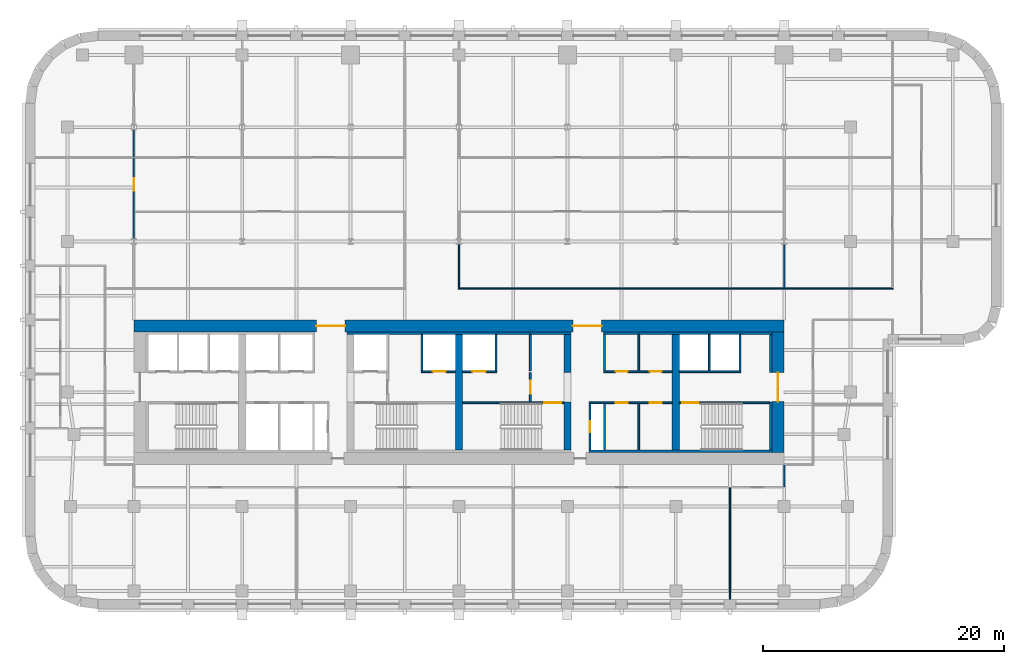
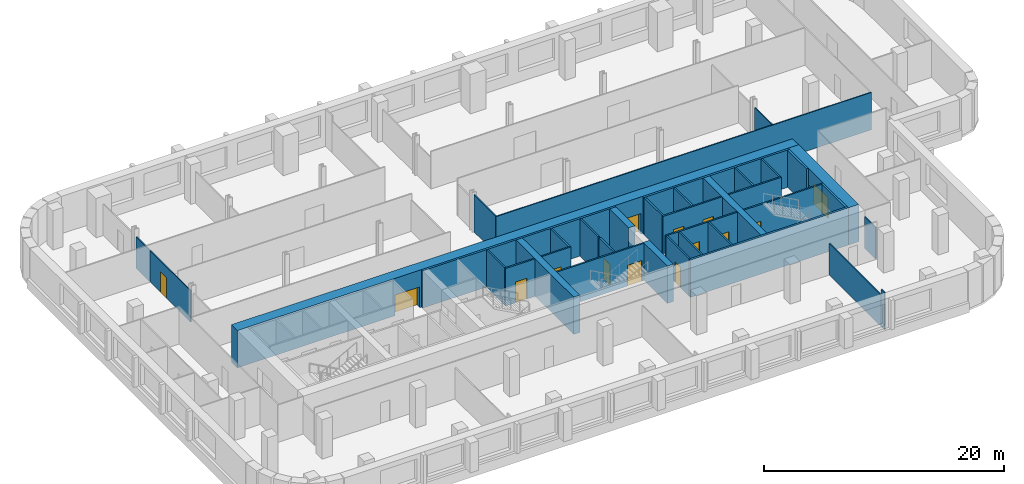
# One storey, part 5 of 10: 37 walls, 14 doors, 14 openings.
"""IFC4 building model written with IfcOpenShell, lengths in metres."""

from ifc_helpers import new_model, si_unit, direction, frame, frame_2d, origin, place, context, subcontext, project, spatial, rectangle, extrude, material, layer, layer_set, type_object, element, fill, save


model = new_model("IFC4")

# Units and contexts
model_context = context("Model", 3, precision=1e-05, world=origin(), true_north=direction((0.0, 1.0)))
body_context = subcontext(model_context, "Body", "Model", "MODEL_VIEW")
ifc_project = project(units=[si_unit("LENGTHUNIT", "METRE"), si_unit("AREAUNIT", "SQUARE_METRE"), si_unit("VOLUMEUNIT", "CUBIC_METRE"), si_unit("PLANEANGLEUNIT", "RADIAN"), si_unit("MASSUNIT", "GRAM", prefix="KILO")], contexts=[model_context])

# Site, building, storey
site_placement = place(None, origin())
site = spatial("IfcSite", under=ifc_project, at=site_placement, CompositionType="ELEMENT")
building_placement = place(site_placement, origin())
building = spatial("IfcBuilding", under=site, at=building_placement, Name="Zellij Exchange Tower", CompositionType="ELEMENT")
storey_placement = place(building_placement, frame((0.0, 0.0, 128.5)))
storey = spatial("IfcBuildingStorey", under=building, at=storey_placement, Name="L28", CompositionType="ELEMENT", Elevation=128.5)

# Walls
ifc_material_1 = material(Name="Concrete C70/85", Category="concrete")
ifc_layer_1 = layer(ifc_material_1, 0.60009765625)
ifc_layer_set_1 = layer_set([ifc_layer_1], Name="Concrete C70/85")
wall_type_1 = type_object("IfcWallType", Name="CORE-CW 600 C70/85", PredefinedType="SHEAR", material=ifc_layer_set_1)
wall_1_placement = place(storey_placement, frame((0.0, -12.800048828125, 0.0), z_axis=(0.0, 0.0, 1.0), x_axis=(0.0, 1.0, 0.0)))
element("IfcWall", 1, at=wall_1_placement, inside=storey, type_object=wall_type_1, Name="Core cross wall x 0 L28", PredefinedType="SHEAR", context=body_context, shape_type="SweptSolid", body=[
    extrude(rectangle(XDim=9.60009765625, YDim=0.60009765625, at=frame_2d((4.800048828125, 0.0))), origin(), (0.0, 0.0, 1.0), 3.800048828125),
])
wall_2_placement = place(storey_placement, frame((9.0, -12.800048828125, 0.0), z_axis=(0.0, 0.0, 1.0), x_axis=(0.0, 1.0, 0.0)))
element("IfcWall", 2, at=wall_2_placement, inside=storey, type_object=wall_type_1, Name="Core cross wall pier x 9 a L28", PredefinedType="SHEAR", context=body_context, shape_type="SweptSolid", body=[
    extrude(rectangle(XDim=4.0, YDim=0.60009765625, at=frame_2d((2.0, 0.0))), origin(), (0.0, 0.0, 1.0), 3.800048828125),
])
wall_3_placement = place(storey_placement, frame((9.0, -6.375, 0.0), z_axis=(0.0, 0.0, 1.0), x_axis=(0.0, 1.0, 0.0)))
element("IfcWall", 3, at=wall_3_placement, inside=storey, type_object=wall_type_1, Name="Core cross wall pier x 9 b L28", PredefinedType="SHEAR", context=body_context, shape_type="SweptSolid", body=[
    extrude(rectangle(XDim=3.175048828125, YDim=0.60009765625, at=frame_2d((1.58740234375, 0.0))), origin(), (0.0, 0.0, 1.0), 3.800048828125),
])
wall_4_placement = place(storey_placement, frame((18.0, -12.800048828125, 0.0), z_axis=(0.0, 0.0, 1.0), x_axis=(0.0, 1.0, 0.0)))
element("IfcWall", 4, at=wall_4_placement, inside=storey, type_object=wall_type_1, Name="Core cross wall x 18 L28", PredefinedType="SHEAR", context=body_context, shape_type="SweptSolid", body=[
    extrude(rectangle(XDim=9.60009765625, YDim=0.60009765625, at=frame_2d((4.800048828125, 0.0))), origin(), (0.0, 0.0, 1.0), 3.800048828125),
])
ifc_material_2 = material(Name="Concrete C30/37", Category="concrete")
ifc_layer_2 = layer(ifc_material_2, 0.199951171875)
ifc_layer_set_2 = layer_set([ifc_layer_2], Name="Concrete C30/37")
wall_type_2 = type_object("IfcWallType", Name="CORE-LW 200 C30/37", PredefinedType="SHEAR", material=ifc_layer_set_2)
wall_5_placement = place(storey_placement, frame((-9.300048828125, -3.10009765625, 0.0), z_axis=(0.0, 0.0, 1.0), x_axis=(1.0, 0.0, 0.0)))
element("IfcWall", 5, at=wall_5_placement, inside=storey, type_object=wall_type_2, Name="Core wall lining front.1 L28", PredefinedType="SHEAR", context=body_context, shape_type="SweptSolid", body=[
    extrude(rectangle(XDim=18.60009765625, YDim=0.199951171875, at=frame_2d((9.300048828125, 0.0))), origin(), (0.0, 0.0, 1.0), 3.800048828125),
])
wall_6_placement = place(storey_placement, frame((12.0, -3.10009765625, 0.0), z_axis=(0.0, 0.0, 1.0), x_axis=(1.0, 0.0, 0.0)))
element("IfcWall", 6, at=wall_6_placement, inside=storey, type_object=wall_type_2, Name="Core wall lining front.2 L28", PredefinedType="SHEAR", context=body_context, shape_type="SweptSolid", body=[
    extrude(rectangle(XDim=14.0, YDim=0.199951171875, at=frame_2d((7.0, 0.0))), origin(), (0.0, 0.0, 1.0), 3.800048828125),
])
wall_7_placement = place(storey_placement, frame((10.800048828125, -12.89990234375, 0.0), z_axis=(0.0, 0.0, 1.0), x_axis=(1.0, 0.0, 0.0)))
element("IfcWall", 7, at=wall_7_placement, inside=storey, type_object=wall_type_2, Name="Core wall lining rear.2 L28", PredefinedType="SHEAR", context=body_context, shape_type="SweptSolid", body=[
    extrude(rectangle(XDim=15.199951171875, YDim=0.199951171875, at=frame_2d((7.60009765625, 0.0))), origin(), (0.0, 0.0, 1.0), 3.800048828125),
])
wall_8_placement = place(storey_placement, frame((25.89990234375, -12.800048828125, 0.0), z_axis=(0.0, 0.0, 1.0), x_axis=(0.0, 1.0, 0.0)))
element("IfcWall", 8, at=wall_8_placement, inside=storey, type_object=wall_type_2, Name="Core wall lining end e.0 L28", PredefinedType="SHEAR", context=body_context, shape_type="SweptSolid", body=[
    extrude(rectangle(XDim=4.0, YDim=0.199951171875, at=frame_2d((2.0, 0.0))), origin(), (0.0, 0.0, 1.0), 3.800048828125),
])
wall_9_placement = place(storey_placement, frame((25.89990234375, -6.375, 0.0), z_axis=(0.0, 0.0, 1.0), x_axis=(0.0, 1.0, 0.0)))
element("IfcWall", 9, at=wall_9_placement, inside=storey, type_object=wall_type_2, Name="Core wall lining end e.1 L28", PredefinedType="SHEAR", context=body_context, shape_type="SweptSolid", body=[
    extrude(rectangle(XDim=3.175048828125, YDim=0.199951171875, at=frame_2d((1.58740234375, 0.0))), origin(), (0.0, 0.0, 1.0), 3.800048828125),
])

# Wall, opening, door
ifc_material_3 = material(Name="Gypsum shaft wall system")
ifc_layer_3 = layer(ifc_material_3, 0.14990234375)
ifc_layer_set_3 = layer_set([ifc_layer_3], Name="Gypsum shaft wall system")
wall_type_3 = type_object("IfcWallType", Name="CORE-PW 150 Firefighting lobby wall", PredefinedType="PARTITIONING", material=ifc_layer_set_3)
wall_10_placement = place(storey_placement, frame((5.925048828125, -8.800048828125, 0.0), z_axis=(0.0, 0.0, 1.0), x_axis=(0.0, 1.0, 0.0)))
wall_10 = element("IfcWall", 10, at=wall_10_placement, inside=storey, type_object=wall_type_3, Name="Firefighting lobby wall L28", PredefinedType="PARTITIONING", context=body_context, shape_type="SweptSolid", body=[
    extrude(rectangle(XDim=2.425048828125, YDim=0.14990234375, at=frame_2d((1.21240234375, 0.0))), origin(), (0.0, 0.0, 1.0), 3.800048828125),
])
opening_1_placement = place(wall_10_placement, frame((0.662109375, 0.0, 0.0)))
opening_1 = element("IfcOpeningElement", 11, at=opening_1_placement, cuts=wall_10, Name="Opening CA-15.18", PredefinedType="OPENING", context=body_context, shape_type="SweptSolid", body=[
    extrude(rectangle(XDim=1.10009765625, YDim=2.10009765625, at=frame_2d((0.550048828125, 1.050048828125))), frame((0.0, 0.0869140625, 0.0), z_axis=(0.0, -1.0, 0.0), x_axis=(1.0, 0.0, 0.0)), (0.0, 0.0, 1.0), 0.173828125),
])
ifc_material_4 = material(Name="Hollow metal fire door")
door_type_1 = type_object("IfcDoorType", Name="CORE-D F Firefighting lobby door 1100x2100 1 HR", OperationType="NOTDEFINED", PredefinedType="DOOR", material=ifc_material_4)
door_1_placement = place(opening_1_placement, origin())
door_1 = element("IfcDoor", 12, at=door_1_placement, inside=storey, type_object=door_type_1, Name="Firefighting lobby door CA-15.18", OperationType="SINGLE_SWING_RIGHT", OverallHeight=2.10009765625, OverallWidth=1.10009765625, PredefinedType="DOOR", context=body_context, shape_type="SweptSolid", body=[
    extrude(rectangle(XDim=1.10009765625, YDim=2.10009765625, at=frame_2d((0.550048828125, 1.050048828125))), frame((0.0, 0.02490234375, 0.0), z_axis=(0.0, -1.0, 0.0), x_axis=(1.0, 0.0, 0.0)), (0.0, 0.0, 1.0), 0.050048828125),
])
fill(opening_1, door_1)

# Walls
ifc_material_5 = material(Name="Gypsum board partition")
ifc_layer_4 = layer(ifc_material_5, 0.14990234375)
ifc_layer_set_4 = layer_set([ifc_layer_4], Name="Gypsum board partition")
wall_type_4 = type_object("IfcWallType", Name="CORE-PW 150 Lift lobby wall", PredefinedType="PARTITIONING", material=ifc_layer_set_4)
for number, where, z_axis, x_axis, name in (
    (13, (5.925048828125, -6.22509765625, 0.0), (0.0, 0.0, 1.0), (0.0, 1.0, 0.0), "Lift lobby wall L28"),
    (14, (12.074951171875, -6.22509765625, 0.0), (0.0, 0.0, 1.0), (0.0, 1.0, 0.0), "Lift lobby wall L28"),
    (15, (14.925048828125, -6.22509765625, 0.0), (0.0, 0.0, 1.0), (0.0, 1.0, 0.0), "Lift lobby wall L28"),
):
    element("IfcWall", number, at=place(storey_placement, frame(where, z_axis=z_axis, x_axis=x_axis)), inside=storey, type_object=wall_type_4, Name=name, PredefinedType="PARTITIONING", context=body_context, shape_type="SweptSolid", body=[
        extrude(rectangle(XDim=3.025146484375, YDim=0.14990234375, at=frame_2d((1.5126953125, 0.0))), origin(), (0.0, 0.0, 1.0), 3.800048828125),
    ])

# Wall, opening, door
wall_11_placement = place(storey_placement, frame((10.875, -12.800048828125, 0.0), z_axis=(0.0, 0.0, 1.0), x_axis=(0.0, 1.0, 0.0)))
wall_11 = element("IfcWall", 16, at=wall_11_placement, inside=storey, type_object=wall_type_4, Name="Lift lobby wall L28", PredefinedType="PARTITIONING", context=body_context, shape_type="SweptSolid", body=[
    extrude(rectangle(XDim=3.85009765625, YDim=0.14990234375, at=frame_2d((1.925048828125, 0.0))), origin(), (0.0, 0.0, 1.0), 3.800048828125),
])
opening_2_placement = place(wall_11_placement, frame((1.47509765625, 0.0, 0.0)))
opening_2 = element("IfcOpeningElement", 17, at=opening_2_placement, cuts=wall_11, Name="Opening CA-15.22", PredefinedType="OPENING", context=body_context, shape_type="SweptSolid", body=[
    extrude(rectangle(XDim=0.89990234375, YDim=2.10009765625, at=frame_2d((0.449951171875, 1.050048828125))), frame((0.0, 0.0869140625, 0.0), z_axis=(0.0, -1.0, 0.0), x_axis=(1.0, 0.0, 0.0)), (0.0, 0.0, 1.0), 0.173828125),
])
door_type_2 = type_object("IfcDoorType", Name="CORE-D RD Riser door 900x2100 1.5 HR", OperationType="NOTDEFINED", PredefinedType="DOOR", material=ifc_material_4)
door_2_placement = place(opening_2_placement, origin())
door_2 = element("IfcDoor", 18, at=door_2_placement, inside=storey, type_object=door_type_2, Name="Riser door CA-15.22", OperationType="SINGLE_SWING_LEFT", OverallHeight=2.10009765625, OverallWidth=0.89990234375, PredefinedType="DOOR", context=body_context, shape_type="SweptSolid", body=[
    extrude(rectangle(XDim=0.89990234375, YDim=2.10009765625, at=frame_2d((0.449951171875, 1.050048828125))), frame((0.0, 0.02490234375, 0.0), z_axis=(0.0, -1.0, 0.0), x_axis=(1.0, 0.0, 0.0)), (0.0, 0.0, 1.0), 0.050048828125),
])
fill(opening_2, door_2)

# Walls
for number, where, z_axis, x_axis, name in (
    (19, (12.074951171875, -12.800048828125, 0.0), (0.0, 0.0, 1.0), (0.0, 1.0, 0.0), "Lift lobby wall L28"),
    (20, (14.925048828125, -12.800048828125, 0.0), (0.0, 0.0, 1.0), (0.0, 1.0, 0.0), "Lift lobby wall L28"),
):
    element("IfcWall", number, at=place(storey_placement, frame(where, z_axis=z_axis, x_axis=x_axis)), inside=storey, type_object=wall_type_4, Name=name, PredefinedType="PARTITIONING", context=body_context, shape_type="SweptSolid", body=[
        extrude(rectangle(XDim=3.85009765625, YDim=0.14990234375, at=frame_2d((1.925048828125, 0.0))), origin(), (0.0, 0.0, 1.0), 3.800048828125),
    ])

# Wall, openings, doors
wall_12_placement = place(storey_placement, frame((12.0, -6.300048828125, 0.0), z_axis=(0.0, 0.0, 1.0), x_axis=(1.0, 0.0, 0.0)))
wall_12 = element("IfcWall", 21, at=wall_12_placement, inside=storey, type_object=wall_type_4, Name="Lift lobby wall L28", PredefinedType="PARTITIONING", context=body_context, shape_type="SweptSolid", body=[
    extrude(rectangle(XDim=5.699951171875, YDim=0.14990234375, at=frame_2d((2.85009765625, 0.0))), origin(), (0.0, 0.0, 1.0), 3.800048828125),
])
opening_3_placement = place(wall_12_placement, frame((1.0, 0.0, 0.0)))
opening_3 = element("IfcOpeningElement", 22, at=opening_3_placement, cuts=wall_12, Name="Opening CA-15.24", PredefinedType="OPENING", context=body_context, shape_type="SweptSolid", body=[
    extrude(rectangle(XDim=1.0, YDim=2.10009765625, at=frame_2d((0.5, 1.050048828125))), frame((0.0, 0.0869140625, 0.0), z_axis=(0.0, -1.0, 0.0), x_axis=(1.0, 0.0, 0.0)), (0.0, 0.0, 1.0), 0.173828125),
])
opening_4_placement = place(wall_12_placement, frame((3.85009765625, 0.0, 0.0)))
opening_4 = element("IfcOpeningElement", 23, at=opening_4_placement, cuts=wall_12, Name="Opening CA-15.26", PredefinedType="OPENING", context=body_context, shape_type="SweptSolid", body=[
    extrude(rectangle(XDim=1.0, YDim=2.10009765625, at=frame_2d((0.5, 1.050048828125))), frame((0.0, 0.0869140625, 0.0), z_axis=(0.0, -1.0, 0.0), x_axis=(1.0, 0.0, 0.0)), (0.0, 0.0, 1.0), 0.173828125),
])
door_type_3 = type_object("IfcDoorType", Name="CORE-D CD Core room door 1000x2100 1 HR", OperationType="NOTDEFINED", PredefinedType="DOOR", material=ifc_material_4)
door_3_placement = place(opening_3_placement, origin())
door_3 = element("IfcDoor", 24, at=door_3_placement, inside=storey, type_object=door_type_3, Name="Core room door CA-15.24", OperationType="SINGLE_SWING_LEFT", OverallHeight=2.10009765625, OverallWidth=1.0, PredefinedType="DOOR", context=body_context, shape_type="SweptSolid", body=[
    extrude(rectangle(XDim=1.0, YDim=2.10009765625, at=frame_2d((0.5, 1.050048828125))), frame((0.0, 0.02490234375, 0.0), z_axis=(0.0, -1.0, 0.0), x_axis=(1.0, 0.0, 0.0)), (0.0, 0.0, 1.0), 0.050048828125),
])
fill(opening_3, door_3)
door_4_placement = place(opening_4_placement, origin())
door_4 = element("IfcDoor", 25, at=door_4_placement, inside=storey, type_object=door_type_3, Name="Core room door CA-15.26", OperationType="SINGLE_SWING_RIGHT", OverallHeight=2.10009765625, OverallWidth=1.0, PredefinedType="DOOR", context=body_context, shape_type="SweptSolid", body=[
    extrude(rectangle(XDim=1.0, YDim=2.10009765625, at=frame_2d((0.5, 1.050048828125))), frame((0.0, 0.02490234375, 0.0), z_axis=(0.0, -1.0, 0.0), x_axis=(1.0, 0.0, 0.0)), (0.0, 0.0, 1.0), 0.050048828125),
])
fill(opening_4, door_4)

wall_13_placement = place(storey_placement, frame((10.800048828125, -8.875, 0.0), z_axis=(0.0, 0.0, 1.0), x_axis=(1.0, 0.0, 0.0)))
wall_13 = element("IfcWall", 26, at=wall_13_placement, inside=storey, type_object=wall_type_4, Name="Lift lobby wall L28", PredefinedType="PARTITIONING", context=body_context, shape_type="SweptSolid", body=[
    extrude(rectangle(XDim=6.89990234375, YDim=0.14990234375, at=frame_2d((3.449951171875, 0.0))), origin(), (0.0, 0.0, 1.0), 3.800048828125),
])
opening_5_placement = place(wall_13_placement, frame((2.199951171875, 0.0, 0.0)))
opening_5 = element("IfcOpeningElement", 27, at=opening_5_placement, cuts=wall_13, Name="Opening CA-15.23", PredefinedType="OPENING", context=body_context, shape_type="SweptSolid", body=[
    extrude(rectangle(XDim=1.0, YDim=2.10009765625, at=frame_2d((0.5, 1.050048828125))), frame((0.0, 0.0869140625, 0.0), z_axis=(0.0, -1.0, 0.0), x_axis=(1.0, 0.0, 0.0)), (0.0, 0.0, 1.0), 0.173828125),
])
opening_6_placement = place(wall_13_placement, frame((5.050048828125, 0.0, 0.0)))
opening_6 = element("IfcOpeningElement", 28, at=opening_6_placement, cuts=wall_13, Name="Opening CA-15.25", PredefinedType="OPENING", context=body_context, shape_type="SweptSolid", body=[
    extrude(rectangle(XDim=1.0, YDim=2.10009765625, at=frame_2d((0.5, 1.050048828125))), frame((0.0, 0.0869140625, 0.0), z_axis=(0.0, -1.0, 0.0), x_axis=(1.0, 0.0, 0.0)), (0.0, 0.0, 1.0), 0.173828125),
])
door_5_placement = place(opening_5_placement, origin())
door_5 = element("IfcDoor", 29, at=door_5_placement, inside=storey, type_object=door_type_3, Name="Core room door CA-15.23", OperationType="SINGLE_SWING_RIGHT", OverallHeight=2.10009765625, OverallWidth=1.0, PredefinedType="DOOR", context=body_context, shape_type="SweptSolid", body=[
    extrude(rectangle(XDim=1.0, YDim=2.10009765625, at=frame_2d((0.5, 1.050048828125))), frame((0.0, 0.02490234375, 0.0), z_axis=(0.0, -1.0, 0.0), x_axis=(1.0, 0.0, 0.0)), (0.0, 0.0, 1.0), 0.050048828125),
])
fill(opening_5, door_5)
door_6_placement = place(opening_6_placement, origin())
door_6 = element("IfcDoor", 30, at=door_6_placement, inside=storey, type_object=door_type_3, Name="Core room door CA-15.25", OperationType="SINGLE_SWING_LEFT", OverallHeight=2.10009765625, OverallWidth=1.0, PredefinedType="DOOR", context=body_context, shape_type="SweptSolid", body=[
    extrude(rectangle(XDim=1.0, YDim=2.10009765625, at=frame_2d((0.5, 1.050048828125))), frame((0.0, 0.02490234375, 0.0), z_axis=(0.0, -1.0, 0.0), x_axis=(1.0, 0.0, 0.0)), (0.0, 0.0, 1.0), 0.050048828125),
])
fill(opening_6, door_6)

# Walls
ifc_layer_5 = layer(ifc_material_3, 0.14990234375)
ifc_layer_set_5 = layer_set([ifc_layer_5], Name="Gypsum shaft wall system")
wall_type_5 = type_object("IfcWallType", Name="CORE-PW 150 Lift shaft wall", PredefinedType="PARTITIONING", material=ifc_layer_set_5)
for number, where, z_axis, x_axis, name in (
    (31, (-3.074951171875, -6.22509765625, 0.0), (0.0, 0.0, 1.0), (0.0, 1.0, 0.0), "Lift shaft wall L28"),
    (32, (3.074951171875, -6.22509765625, 0.0), (0.0, 0.0, 1.0), (0.0, 1.0, 0.0), "Lift shaft wall L28"),
    (33, (20.77490234375, -6.22509765625, 0.0), (0.0, 0.0, 1.0), (0.0, 1.0, 0.0), "Lift shaft wall L28"),
    (34, (23.324951171875, -6.22509765625, 0.0), (0.0, 0.0, 1.0), (0.0, 1.0, 0.0), "Lift shaft wall L28"),
):
    element("IfcWall", number, at=place(storey_placement, frame(where, z_axis=z_axis, x_axis=x_axis)), inside=storey, type_object=wall_type_5, Name=name, PredefinedType="PARTITIONING", context=body_context, shape_type="SweptSolid", body=[
        extrude(rectangle(XDim=3.025146484375, YDim=0.14990234375, at=frame_2d((1.5126953125, 0.0))), origin(), (0.0, 0.0, 1.0), 3.800048828125),
    ])

# Wall, opening, door
wall_14_placement = place(storey_placement, frame((-3.14990234375, -6.300048828125, 0.0), z_axis=(0.0, 0.0, 1.0), x_axis=(1.0, 0.0, 0.0)))
wall_14 = element("IfcWall", 35, at=wall_14_placement, inside=storey, type_object=wall_type_5, Name="Lift shaft wall L28", PredefinedType="PARTITIONING", context=body_context, shape_type="SweptSolid", body=[
    extrude(rectangle(XDim=2.849853515625, YDim=0.14990234375, at=frame_2d((1.4248046875, 0.0))), origin(), (0.0, 0.0, 1.0), 3.800048828125),
])
opening_7_placement = place(wall_14_placement, frame((0.949951171875, 0.0, 0.0)))
opening_7 = element("IfcOpeningElement", 36, at=opening_7_placement, cuts=wall_14, Name="Opening CA-15.16", PredefinedType="OPENING", context=body_context, shape_type="SweptSolid", body=[
    extrude(rectangle(XDim=1.10009765625, YDim=2.10009765625, at=frame_2d((0.550048828125, 1.050048828125))), frame((0.0, 0.0869140625, 0.0), z_axis=(0.0, -1.0, 0.0), x_axis=(1.0, 0.0, 0.0)), (0.0, 0.0, 1.0), 0.173828125),
])
door_type_4 = type_object("IfcDoorType", Name="CORE-D LD Lift landing door 1100x2100 1.5 HR", OperationType="NOTDEFINED", PredefinedType="DOOR", material=ifc_material_4)
door_7_placement = place(opening_7_placement, origin())
door_7 = element("IfcDoor", 37, at=door_7_placement, inside=storey, type_object=door_type_4, Name="Lift landing door CA-15.16", OperationType="SLIDING_TO_RIGHT", OverallHeight=2.10009765625, OverallWidth=1.10009765625, PredefinedType="DOOR", context=body_context, shape_type="SweptSolid", body=[
    extrude(rectangle(XDim=1.10009765625, YDim=2.10009765625, at=frame_2d((0.550048828125, 1.050048828125))), frame((0.0, 0.02490234375, 0.0), z_axis=(0.0, -1.0, 0.0), x_axis=(1.0, 0.0, 0.0)), (0.0, 0.0, 1.0), 0.050048828125),
])
fill(opening_7, door_7)

wall_15_placement = place(storey_placement, frame((0.300048828125, -6.300048828125, 0.0), z_axis=(0.0, 0.0, 1.0), x_axis=(1.0, 0.0, 0.0)))
wall_15 = element("IfcWall", 38, at=wall_15_placement, inside=storey, type_object=wall_type_5, Name="Lift shaft wall L28", PredefinedType="PARTITIONING", context=body_context, shape_type="SweptSolid", body=[
    extrude(rectangle(XDim=2.849853515625, YDim=0.14990234375, at=frame_2d((1.4248046875, 0.0))), origin(), (0.0, 0.0, 1.0), 3.800048828125),
])
opening_8_placement = place(wall_15_placement, frame((0.800048828125, 0.0, 0.0)))
opening_8 = element("IfcOpeningElement", 39, at=opening_8_placement, cuts=wall_15, Name="Opening CA-15.17", PredefinedType="OPENING", context=body_context, shape_type="SweptSolid", body=[
    extrude(rectangle(XDim=1.10009765625, YDim=2.10009765625, at=frame_2d((0.550048828125, 1.050048828125))), frame((0.0, 0.0869140625, 0.0), z_axis=(0.0, -1.0, 0.0), x_axis=(1.0, 0.0, 0.0)), (0.0, 0.0, 1.0), 0.173828125),
])
door_8_placement = place(opening_8_placement, origin())
door_8 = element("IfcDoor", 40, at=door_8_placement, inside=storey, type_object=door_type_4, Name="Lift landing door CA-15.17", OperationType="SLIDING_TO_LEFT", OverallHeight=2.10009765625, OverallWidth=1.10009765625, PredefinedType="DOOR", context=body_context, shape_type="SweptSolid", body=[
    extrude(rectangle(XDim=1.10009765625, YDim=2.10009765625, at=frame_2d((0.550048828125, 1.050048828125))), frame((0.0, 0.02490234375, 0.0), z_axis=(0.0, -1.0, 0.0), x_axis=(1.0, 0.0, 0.0)), (0.0, 0.0, 1.0), 0.050048828125),
])
fill(opening_8, door_8)

# Wall
wall_16_placement = place(storey_placement, frame((18.300048828125, -6.300048828125, 0.0), z_axis=(0.0, 0.0, 1.0), x_axis=(1.0, 0.0, 0.0)))
element("IfcWall", 41, at=wall_16_placement, inside=storey, type_object=wall_type_5, Name="Lift shaft wall L28", PredefinedType="PARTITIONING", context=body_context, shape_type="SweptSolid", body=[
    extrude(rectangle(XDim=5.099853515625, YDim=0.14990234375, at=frame_2d((2.5498046875, 0.0))), origin(), (0.0, 0.0, 1.0), 3.800048828125),
])

# Wall, openings, doors
ifc_layer_6 = layer(ifc_material_1, 1.0)
ifc_layer_set_6 = layer_set([ifc_layer_6], Name="Concrete C70/85")
wall_type_6 = type_object("IfcWallType", Name="CORE-SW 1000 C70/85", PredefinedType="SHEAR", material=ifc_layer_set_6)
wall_17_placement = place(storey_placement, frame((-27.0, -2.5, 0.0), z_axis=(0.0, 0.0, 1.0), x_axis=(1.0, 0.0, 0.0)))
wall_17 = element("IfcWall", 42, at=wall_17_placement, inside=storey, type_object=wall_type_6, Name="Core shear wall front L28", PredefinedType="SHEAR", context=body_context, shape_type="SweptSolid", body=[
    extrude(rectangle(XDim=54.0, YDim=1.0, at=frame_2d((27.0, 0.0))), origin(), (0.0, 0.0, 1.0), 3.800048828125),
])
opening_9_placement = place(wall_17_placement, frame((15.14990234375, 0.0, 0.0)))
opening_9 = element("IfcOpeningElement", 43, at=opening_9_placement, cuts=wall_17, Name="Opening CA-15.11", PredefinedType="OPENING", context=body_context, shape_type="SweptSolid", body=[
    extrude(rectangle(XDim=2.39990234375, YDim=2.10009765625, at=frame_2d((1.199951171875, 1.050048828125))), frame((0.0, 0.511962890625, 0.0), z_axis=(0.0, -1.0, 0.0), x_axis=(1.0, 0.0, 0.0)), (0.0, 0.0, 1.0), 1.02392578125),
])
opening_10_placement = place(wall_17_placement, frame((36.449951171875, 0.0, 0.0)))
opening_10 = element("IfcOpeningElement", 44, at=opening_10_placement, cuts=wall_17, Name="Opening CA-15.21", PredefinedType="OPENING", context=body_context, shape_type="SweptSolid", body=[
    extrude(rectangle(XDim=2.39990234375, YDim=2.10009765625, at=frame_2d((1.199951171875, 1.050048828125))), frame((0.0, 0.511962890625, 0.0), z_axis=(0.0, -1.0, 0.0), x_axis=(1.0, 0.0, 0.0)), (0.0, 0.0, 1.0), 1.02392578125),
])
door_type_5 = type_object("IfcDoorType", Name="CORE-D CE Core entrance door 2400x2100 20 MIN", OperationType="NOTDEFINED", PredefinedType="DOOR", material=ifc_material_4)
door_9_placement = place(opening_9_placement, origin())
door_9 = element("IfcDoor", 45, at=door_9_placement, inside=storey, type_object=door_type_5, Name="Core entrance door CA-15.11", OperationType="DOUBLE_DOOR_SINGLE_SWING", OverallHeight=2.10009765625, OverallWidth=2.39990234375, PredefinedType="DOOR", context=body_context, shape_type="SweptSolid", body=[
    extrude(rectangle(XDim=2.39990234375, YDim=2.10009765625, at=frame_2d((1.199951171875, 1.050048828125))), frame((0.0, 0.02490234375, 0.0), z_axis=(0.0, -1.0, 0.0), x_axis=(1.0, 0.0, 0.0)), (0.0, 0.0, 1.0), 0.050048828125),
])
fill(opening_9, door_9)
door_10_placement = place(opening_10_placement, origin())
door_10 = element("IfcDoor", 46, at=door_10_placement, inside=storey, type_object=door_type_5, Name="Core entrance door CA-15.21", OperationType="DOUBLE_DOOR_SINGLE_SWING", OverallHeight=2.10009765625, OverallWidth=2.39990234375, PredefinedType="DOOR", context=body_context, shape_type="SweptSolid", body=[
    extrude(rectangle(XDim=2.39990234375, YDim=2.10009765625, at=frame_2d((1.199951171875, 1.050048828125))), frame((0.0, 0.02490234375, 0.0), z_axis=(0.0, -1.0, 0.0), x_axis=(1.0, 0.0, 0.0)), (0.0, 0.0, 1.0), 0.050048828125),
])
fill(opening_10, door_10)

# Wall, opening, door
wall_18_placement = place(storey_placement, frame((26.5, -13.0, 0.0), z_axis=(0.0, 0.0, 1.0), x_axis=(0.0, 1.0, 0.0)))
wall_18 = element("IfcWall", 47, at=wall_18_placement, inside=storey, type_object=wall_type_6, Name="Core shear wall end e L28", PredefinedType="SHEAR", context=body_context, shape_type="SweptSolid", body=[
    extrude(rectangle(XDim=10.0, YDim=1.0, at=frame_2d((5.0, 0.0))), origin(), (0.0, 0.0, 1.0), 3.800048828125),
])
opening_11_placement = place(wall_18_placement, frame((4.2119140625, 0.0, 0.0)))
opening_11 = element("IfcOpeningElement", 48, at=opening_11_placement, cuts=wall_18, Name="Opening CA-15.28", PredefinedType="OPENING", context=body_context, shape_type="SweptSolid", body=[
    extrude(rectangle(XDim=2.39990234375, YDim=2.10009765625, at=frame_2d((1.199951171875, 1.050048828125))), frame((0.0, 0.511962890625, 0.0), z_axis=(0.0, -1.0, 0.0), x_axis=(1.0, 0.0, 0.0)), (0.0, 0.0, 1.0), 1.02392578125),
])
door_11_placement = place(opening_11_placement, origin())
door_11 = element("IfcDoor", 49, at=door_11_placement, inside=storey, type_object=door_type_5, Name="Core entrance door CA-15.28", OperationType="DOUBLE_DOOR_SINGLE_SWING", OverallHeight=2.10009765625, OverallWidth=2.39990234375, PredefinedType="DOOR", context=body_context, shape_type="SweptSolid", body=[
    extrude(rectangle(XDim=2.39990234375, YDim=2.10009765625, at=frame_2d((1.199951171875, 1.050048828125))), frame((0.0, 0.02490234375, 0.0), z_axis=(0.0, -1.0, 0.0), x_axis=(1.0, 0.0, 0.0)), (0.0, 0.0, 1.0), 0.050048828125),
])
fill(opening_11, door_11)

ifc_layer_7 = layer(ifc_material_1, 0.14990234375)
ifc_layer_set_7 = layer_set([ifc_layer_7], Name="Concrete C70/85")
wall_type_7 = type_object("IfcWallType", Name="CORE-SWS 150 C70/85", PredefinedType="SHEAR", material=ifc_layer_set_7)
wall_19_placement = place(storey_placement, frame((0.300048828125, -8.875, 0.0), z_axis=(0.0, 0.0, 1.0), x_axis=(1.0, 0.0, 0.0)))
wall_19 = element("IfcWall", 50, at=wall_19_placement, inside=storey, type_object=wall_type_7, Name="Stair enclosure wall L28", PredefinedType="SHEAR", context=body_context, shape_type="SweptSolid", body=[
    extrude(rectangle(XDim=8.39990234375, YDim=0.14990234375, at=frame_2d((4.199951171875, 0.0))), origin(), (0.0, 0.0, 1.0), 3.800048828125),
])
opening_12_placement = place(wall_19_placement, frame((6.77490234375, 0.0, 0.0)))
opening_12 = element("IfcOpeningElement", 51, at=opening_12_placement, cuts=wall_19, Name="Opening CA-15.19", PredefinedType="OPENING", context=body_context, shape_type="SweptSolid", body=[
    extrude(rectangle(XDim=1.39990234375, YDim=2.10009765625, at=frame_2d((0.699951171875, 1.050048828125))), frame((0.0, 0.0869140625, 0.0), z_axis=(0.0, -1.0, 0.0), x_axis=(1.0, 0.0, 0.0)), (0.0, 0.0, 1.0), 0.173828125),
])
door_type_6 = type_object("IfcDoorType", Name="CORE-D SD Stair door 1400x2100 1.5 HR", OperationType="NOTDEFINED", PredefinedType="DOOR", material=ifc_material_4)
door_12_placement = place(opening_12_placement, origin())
door_12 = element("IfcDoor", 52, at=door_12_placement, inside=storey, type_object=door_type_6, Name="Stair door CA-15.19", OperationType="DOUBLE_DOOR_SINGLE_SWING", OverallHeight=2.10009765625, OverallWidth=1.39990234375, PredefinedType="DOOR", context=body_context, shape_type="SweptSolid", body=[
    extrude(rectangle(XDim=1.39990234375, YDim=2.10009765625, at=frame_2d((0.699951171875, 1.050048828125))), frame((0.0, 0.02490234375, 0.0), z_axis=(0.0, -1.0, 0.0), x_axis=(1.0, 0.0, 0.0)), (0.0, 0.0, 1.0), 0.050048828125),
])
fill(opening_12, door_12)

wall_20_placement = place(storey_placement, frame((18.300048828125, -8.875, 0.0), z_axis=(0.0, 0.0, 1.0), x_axis=(1.0, 0.0, 0.0)))
wall_20 = element("IfcWall", 53, at=wall_20_placement, inside=storey, type_object=wall_type_7, Name="Stair enclosure wall L28", PredefinedType="SHEAR", context=body_context, shape_type="SweptSolid", body=[
    extrude(rectangle(XDim=7.5, YDim=0.14990234375, at=frame_2d((3.75, 0.0))), origin(), (0.0, 0.0, 1.0), 3.800048828125),
])
opening_13_placement = place(wall_20_placement, frame((0.22509765625, 0.0, 0.0)))
opening_13 = element("IfcOpeningElement", 54, at=opening_13_placement, cuts=wall_20, Name="Opening CA-15.27", PredefinedType="OPENING", context=body_context, shape_type="SweptSolid", body=[
    extrude(rectangle(XDim=1.39990234375, YDim=2.10009765625, at=frame_2d((0.699951171875, 1.050048828125))), frame((0.0, 0.0869140625, 0.0), z_axis=(0.0, -1.0, 0.0), x_axis=(1.0, 0.0, 0.0)), (0.0, 0.0, 1.0), 0.173828125),
])
door_13_placement = place(opening_13_placement, origin())
door_13 = element("IfcDoor", 55, at=door_13_placement, inside=storey, type_object=door_type_6, Name="Stair door CA-15.27", OperationType="DOUBLE_DOOR_SINGLE_SWING", OverallHeight=2.10009765625, OverallWidth=1.39990234375, PredefinedType="DOOR", context=body_context, shape_type="SweptSolid", body=[
    extrude(rectangle(XDim=1.39990234375, YDim=2.10009765625, at=frame_2d((0.699951171875, 1.050048828125))), frame((0.0, 0.02490234375, 0.0), z_axis=(0.0, -1.0, 0.0), x_axis=(1.0, 0.0, 0.0)), (0.0, 0.0, 1.0), 0.050048828125),
])
fill(opening_13, door_13)

# Walls
ifc_material_6 = material(Name="Gypsum board partition on steel studs", Category="steel")
ifc_layer_8 = layer(ifc_material_6, 0.10009765625)
ifc_layer_set_8 = layer_set([ifc_layer_8], Name="Gypsum board partition on steel studs")
wall_type_8 = type_object("IfcWallType", Name="FIT-PARTITION-100", PredefinedType="PARTITIONING", material=ifc_layer_set_8)
wall_21_placement = place(storey_placement, frame((22.5, -25.199951171875, 0.0), z_axis=(0.0, 0.0, 1.0), x_axis=(0.0, 1.0, 0.0)))
element("IfcWall", 56, at=wall_21_placement, inside=storey, type_object=wall_type_8, Name="FIT-PARTITION-100 005", PredefinedType="PARTITIONING", context=body_context, shape_type="SweptSolid", body=[
    extrude(rectangle(XDim=0.58544921875, YDim=0.10009765625, at=frame_2d((0.292724609375, 0.0))), origin(), (0.0, 0.0, 1.0), 3.800048828125),
])
wall_22_placement = place(storey_placement, frame((22.5, -24.614501953125, 0.0), z_axis=(0.0, 0.0, 1.0), x_axis=(0.0, 1.0, 0.0)))
element("IfcWall", 57, at=wall_22_placement, inside=storey, type_object=wall_type_8, Name="FIT-PARTITION-100 006", PredefinedType="PARTITIONING", context=body_context, shape_type="SweptSolid", body=[
    extrude(rectangle(XDim=8.66455078125, YDim=0.10009765625, at=frame_2d((4.332275390625, 0.0))), origin(), (0.0, 0.0, 1.0), 3.197998046875),
])
wall_23_placement = place(storey_placement, frame((27.0, -15.85009765625, 0.0), z_axis=(0.0, 0.0, 1.0), x_axis=(0.0, 1.0, 0.0)))
element("IfcWall", 58, at=wall_23_placement, inside=storey, type_object=wall_type_8, Name="FIT-PARTITION-100 009", PredefinedType="PARTITIONING", context=body_context, shape_type="SweptSolid", body=[
    extrude(rectangle(XDim=1.800048828125, YDim=0.10009765625, at=frame_2d((0.89990234375, 0.0))), origin(), (0.0, 0.0, 1.0), 3.18798828125),
])

# Wall, opening, door
wall_24_placement = place(storey_placement, frame((-27.0, 4.727294921875, 0.0), z_axis=(0.0, 0.0, 1.0), x_axis=(0.0, 1.0, 0.0)))
wall_24 = element("IfcWall", 59, at=wall_24_placement, inside=storey, type_object=wall_type_8, Name="FIT-PARTITION-100 025", PredefinedType="PARTITIONING", context=body_context, shape_type="SweptSolid", body=[
    extrude(rectangle(XDim=6.70263671875, YDim=0.10009765625, at=frame_2d((3.351318359375, 0.0))), origin(), (0.0, 0.0, 1.0), 3.18798828125),
])
opening_14_placement = place(wall_24_placement, frame((4.0126953125, 0.0, 0.0)))
opening_14 = element("IfcOpeningElement", 60, at=opening_14_placement, cuts=wall_24, Name="Opening TF.15", PredefinedType="OPENING", context=body_context, shape_type="SweptSolid", body=[
    extrude(rectangle(XDim=1.0, YDim=2.10009765625, at=frame_2d((0.5, 1.050048828125))), frame((0.0, 0.06201171875, 0.0), z_axis=(0.0, -1.0, 0.0), x_axis=(1.0, 0.0, 0.0)), (0.0, 0.0, 1.0), 0.1240234375),
])
ifc_material_7 = material(Name="Timber door set", Category="wood")
door_type_7 = type_object("IfcDoorType", Name="FIT-D2-WIDE-1000X2100", OperationType="SINGLE_SWING_LEFT", PredefinedType="DOOR", material=ifc_material_7)
door_14_placement = place(opening_14_placement, origin())
door_14 = element("IfcDoor", 61, at=door_14_placement, inside=storey, type_object=door_type_7, Name="Door TF.15", OperationType="SINGLE_SWING_LEFT", OverallHeight=2.10009765625, OverallWidth=1.0, PredefinedType="DOOR", context=body_context, shape_type="SweptSolid", body=[
    extrude(rectangle(XDim=1.0, YDim=2.10009765625, at=frame_2d((0.5, 1.050048828125))), frame((0.0, 0.02490234375, 0.0), z_axis=(0.0, -1.0, 0.0), x_axis=(1.0, 0.0, 0.0)), (0.0, 0.0, 1.0), 0.050048828125),
])
fill(opening_14, door_14)

# Walls
wall_25_placement = place(storey_placement, frame((-0.050048828125, 0.60009765625, 0.0), z_axis=(0.0, 0.0, 1.0), x_axis=(1.0, 0.0, 0.0)))
element("IfcWall", 62, at=wall_25_placement, inside=storey, type_object=wall_type_8, Name="FIT-PARTITION-100 027", PredefinedType="PARTITIONING", context=body_context, shape_type="SweptSolid", body=[
    extrude(rectangle(XDim=36.10009765625, YDim=0.10009765625, at=frame_2d((18.050048828125, 0.0))), origin(), (0.0, 0.0, 1.0), 3.800048828125),
])
wall_26_placement = place(storey_placement, frame((0.0, 0.64990234375, 0.0), z_axis=(0.0, 0.0, 1.0), x_axis=(0.0, 1.0, 0.0)))
element("IfcWall", 63, at=wall_26_placement, inside=storey, type_object=wall_type_8, Name="FIT-PARTITION-100 028", PredefinedType="PARTITIONING", context=body_context, shape_type="SweptSolid", body=[
    extrude(rectangle(XDim=3.622802734375, YDim=0.10009765625, at=frame_2d((1.8115234375, 0.0))), origin(), (0.0, 0.0, 1.0), 3.800048828125),
])
wall_27_placement = place(storey_placement, frame((27.0, 0.64990234375, 0.0), z_axis=(0.0, 0.0, 1.0), x_axis=(0.0, 1.0, 0.0)))
element("IfcWall", 64, at=wall_27_placement, inside=storey, type_object=wall_type_8, Name="FIT-PARTITION-100 030", PredefinedType="PARTITIONING", context=body_context, shape_type="SweptSolid", body=[
    extrude(rectangle(XDim=3.622802734375, YDim=0.10009765625, at=frame_2d((1.8115234375, 0.0))), origin(), (0.0, 0.0, 1.0), 3.18798828125),
])
wall_28_placement = place(storey_placement, frame((-27.0, 11.530029296875, 0.0), z_axis=(0.0, 0.0, 1.0), x_axis=(0.0, 1.0, 0.0)))
element("IfcWall", 65, at=wall_28_placement, inside=storey, type_object=wall_type_8, Name="FIT-PARTITION-100 039", PredefinedType="PARTITIONING", context=body_context, shape_type="SweptSolid", body=[
    extrude(rectangle(XDim=2.24267578125, YDim=0.10009765625, at=frame_2d((1.121337890625, 0.0))), origin(), (0.0, 0.0, 1.0), 3.18798828125),
])

save(model, "model.ifc")
